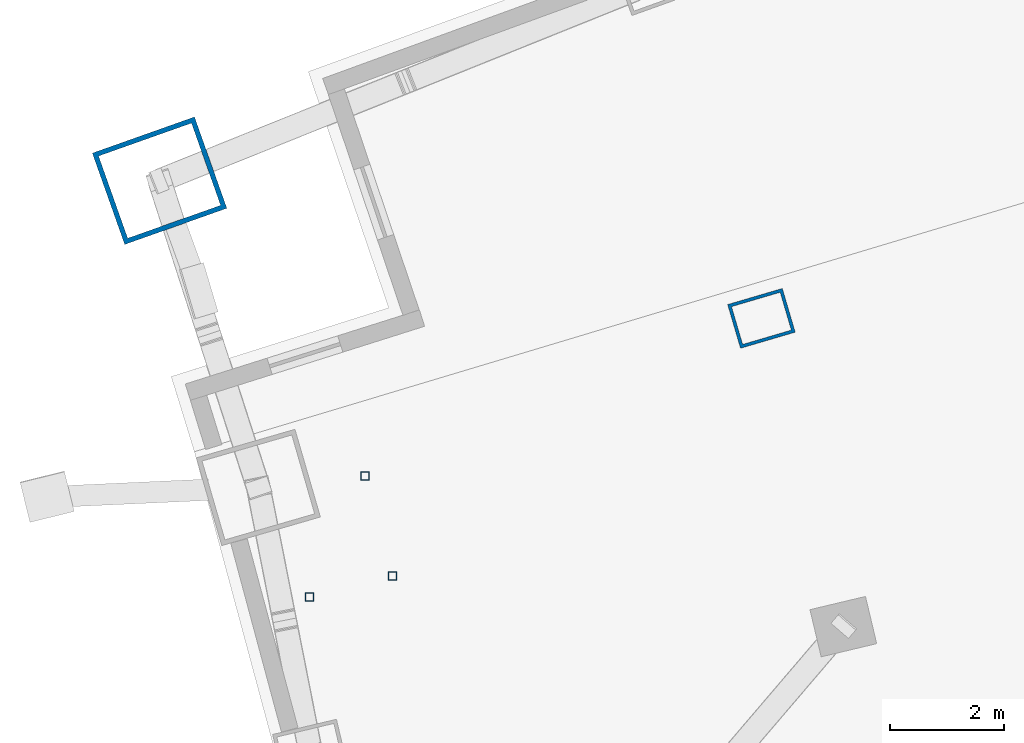
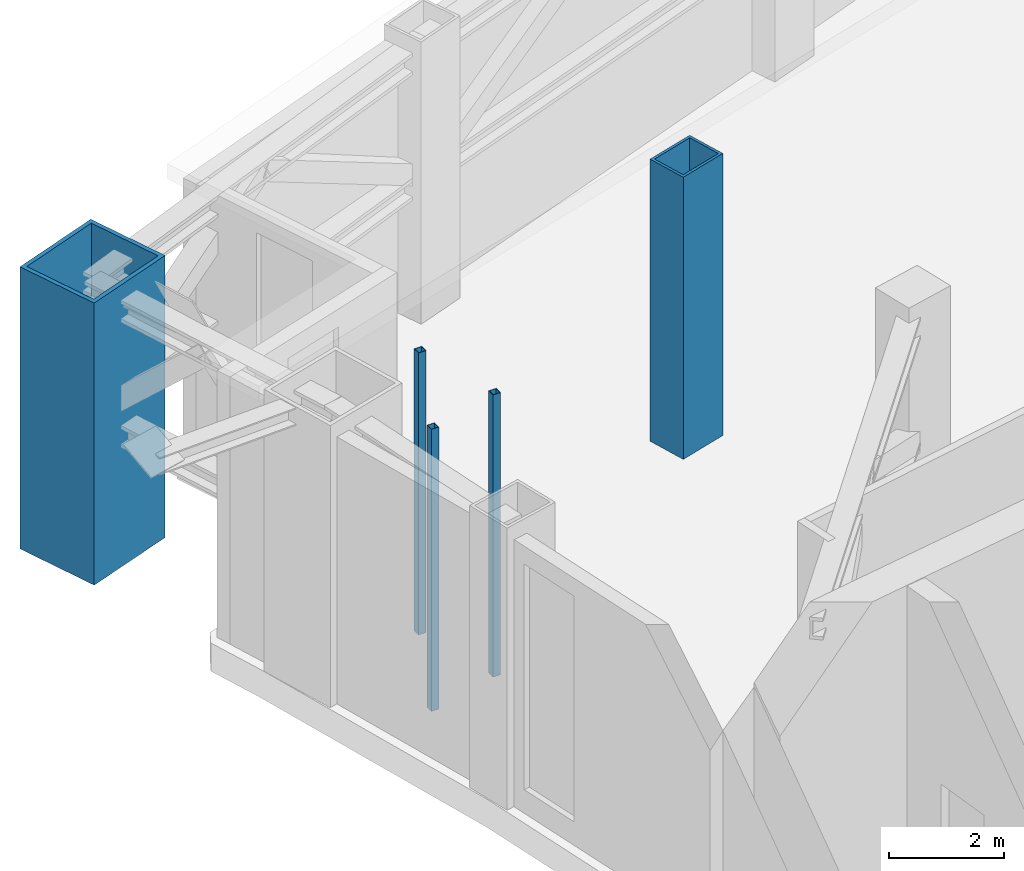
# One storey, part 6 of 26: 5 columns.
"""IFC4 building model written with IfcOpenShell, lengths in metres."""

from ifc_helpers import new_model, si_unit, direction, frame, origin, origin_2d, place, context, subcontext, project, spatial, hollow_rectangle, extrude, material, material_profile, profile_set, type_object, element, save


model = new_model("IFC4")

# Units and contexts
model_context = context("Model", 3, precision=1e-05, world=origin(), true_north=direction((0.0, 1.0)))
body_context = subcontext(model_context, "Body", "Model", "MODEL_VIEW")
ifc_project = project(units=[si_unit("LENGTHUNIT", "METRE"), si_unit("AREAUNIT", "SQUARE_METRE"), si_unit("VOLUMEUNIT", "CUBIC_METRE"), si_unit("PLANEANGLEUNIT", "RADIAN"), si_unit("MASSUNIT", "GRAM", prefix="KILO")], contexts=[model_context])

# Site, building, storey
site_placement = place(None, origin())
site = spatial("IfcSite", under=ifc_project, at=site_placement, CompositionType="ELEMENT")
building_placement = place(site_placement, origin())
building = spatial("IfcBuilding", under=site, at=building_placement, Name="Alderwake Tower", CompositionType="ELEMENT")
storey_placement = place(building_placement, frame((0.0, 0.0, 132.800048828125)))
storey = spatial("IfcBuildingStorey", under=building, at=storey_placement, Name="L32", CompositionType="ELEMENT", Elevation=132.800048828125)

# Columns
ifc_material_1 = material(Name="Steel ASTM A572 Grade 50 concrete filled C70/85", Category="concrete")
ifc_material_profile_1 = material_profile(ifc_material_1, hollow_rectangle(XDim=0.800048828125, YDim=1.0, WallThickness=0.054931640625, at=origin_2d()), Name="BOX 1000X800X55")
ifc_profile_set_1 = profile_set([ifc_material_profile_1], Name="Steel ASTM A572 Grade 50 concrete filled C70/85")
column_type_1 = type_object("IfcColumnType", Name="End column Z3", PredefinedType="COLUMN", material=ifc_profile_set_1)
column_1_placement = place(storey_placement, frame((21.885498046875, 90.96240234375, 0.0), z_axis=(0.0, 0.0, 1.0), x_axis=(-0.282132160283, 0.95937554906, 0.0)))
element("IfcColumn", 1, at=column_1_placement, inside=storey, type_object=column_type_1, Name="Column R12-C1", PredefinedType="COLUMN", context=body_context, shape_type="SweptSolid", body=[
    extrude(hollow_rectangle(XDim=0.800048828125, YDim=1.0, WallThickness=0.054931640625, at=origin_2d()), origin(), (0.0, 0.0, 1.0), 6.0),
])
ifc_material_2 = material(Name="Steel ASTM A500 Grade C", Category="steel")
ifc_material_profile_2 = material_profile(ifc_material_2, hollow_rectangle(XDim=0.15234375, YDim=0.15234375, WallThickness=0.0087890625, at=origin_2d()), Name="HSS6X6X3/8")
ifc_profile_set_2 = profile_set([ifc_material_profile_2], Name="Steel ASTM A500 Grade C")
column_type_2 = type_object("IfcColumnType", Name="Light post HSS6X6X3/8", PredefinedType="COLUMN", material=ifc_profile_set_2)
for number, where, z_axis, x_axis, name in (
    (2, (13.962158203125, 86.073486328125, 0.0), (0.0, 0.0, 1.0), (1.0, 0.0, 0.0), "Terrace post RN1"),
    (3, (14.93115234375, 88.196044921875, 0.0), (0.0, 0.0, 1.0), (1.0, 0.0, 0.0), "Terrace post RN2"),
    (4, (15.41650390625, 86.441650390625, 0.0), (0.0, 0.0, 1.0), (1.0, 0.0, 0.0), "Terrace post RN3"),
):
    element("IfcColumn", number, at=place(storey_placement, frame(where, z_axis=z_axis, x_axis=x_axis)), inside=storey, type_object=column_type_2, Name=name, PredefinedType="COLUMN", context=body_context, shape_type="SweptSolid", body=[
        extrude(hollow_rectangle(XDim=0.15234375, YDim=0.15234375, WallThickness=0.0087890625, at=origin_2d()), origin(), (0.0, 0.0, 1.0), 6.0),
    ])
ifc_material_3 = material(Name="Steel ASTM A572 Grade 50 concrete filled C70/85", Category="concrete")
ifc_material_profile_3 = material_profile(ifc_material_3, hollow_rectangle(XDim=1.699951171875, YDim=1.89990234375, WallThickness=0.0849609375, at=origin_2d()), Name="BOX 1900X1700X85")
ifc_profile_set_3 = profile_set([ifc_material_profile_3], Name="Steel ASTM A572 Grade 50 concrete filled C70/85")
column_type_3 = type_object("IfcColumnType", Name="Mega column Z2", PredefinedType="COLUMN", material=ifc_profile_set_3)
column_2_placement = place(storey_placement, frame((11.330810546875, 93.377197265625, 0.0), z_axis=(0.0, 0.0, 1.0), x_axis=(-0.334130947791, 0.942526662609, 0.0)))
element("IfcColumn", 5, at=column_2_placement, inside=storey, type_object=column_type_3, Name="Column R13-C0", PredefinedType="COLUMN", context=body_context, shape_type="SweptSolid", body=[
    extrude(hollow_rectangle(XDim=1.699951171875, YDim=1.89990234375, WallThickness=0.0849609375, at=origin_2d()), origin(), (0.0, 0.0, 1.0), 6.0),
])

save(model, "model.ifc")
